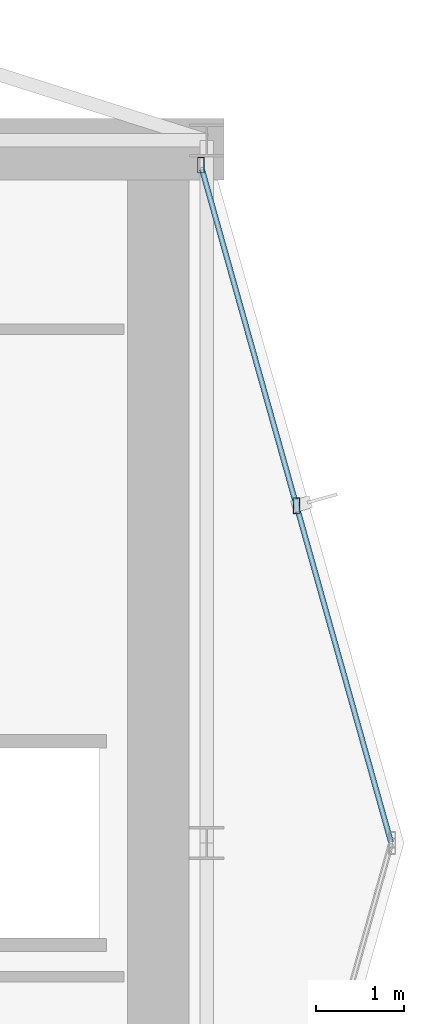
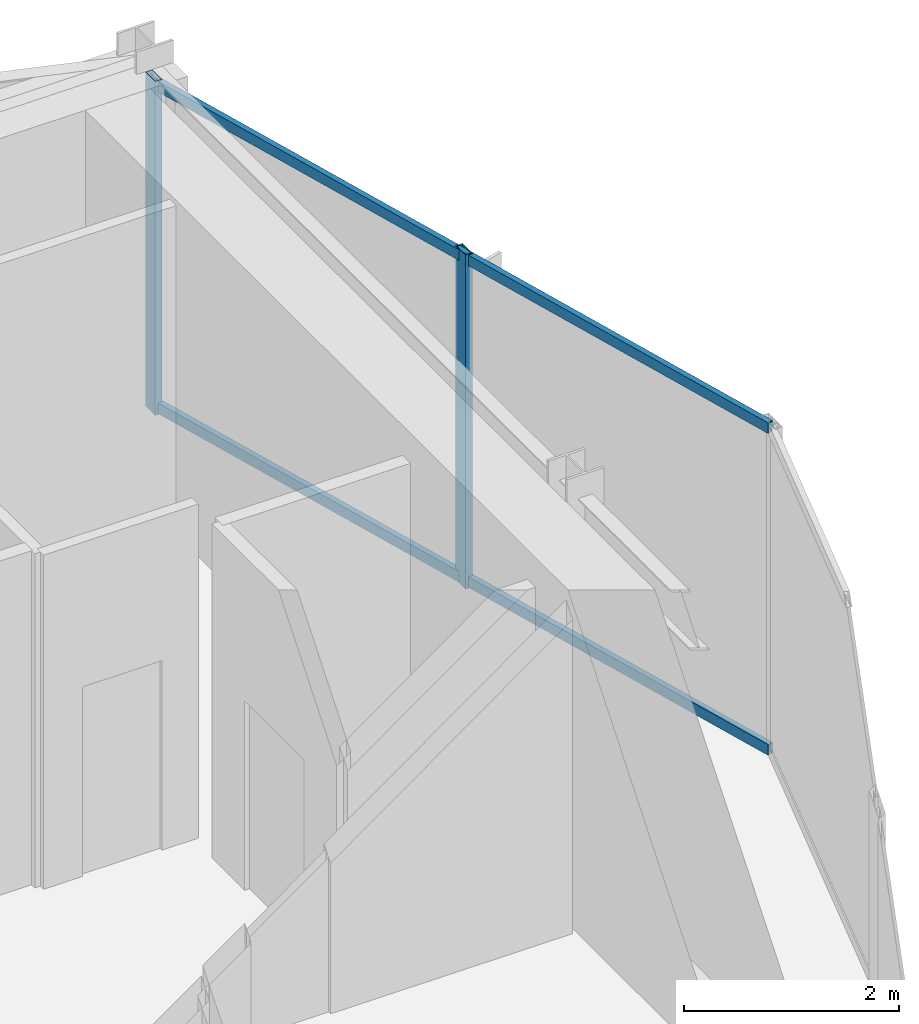
# One storey, part 13 of 21: 4 members, 1 element without a shape of its own.
"""IFC4 building model written with IfcOpenShell, lengths in metres."""

from ifc_helpers import new_model, si_unit, direction, frame, origin, origin_2d, place, context, subcontext, project, spatial, hollow_rectangle, extrude, material, layer, layer_set, material_profile, profile_set, type_object, element, aggregate, save


model = new_model("IFC4")

# Units and contexts
model_context = context("Model", 3, precision=1e-05, world=origin(), true_north=direction((0.0, 1.0)))
body_context = subcontext(model_context, "Body", "Model", "MODEL_VIEW")
ifc_project = project(units=[si_unit("LENGTHUNIT", "METRE"), si_unit("AREAUNIT", "SQUARE_METRE"), si_unit("VOLUMEUNIT", "CUBIC_METRE"), si_unit("PLANEANGLEUNIT", "RADIAN"), si_unit("MASSUNIT", "GRAM", prefix="KILO")], contexts=[model_context])

# Site, building, storey
site_placement = place(None, origin())
site = spatial("IfcSite", under=ifc_project, at=site_placement, CompositionType="ELEMENT")
building_placement = place(site_placement, origin())
building = spatial("IfcBuilding", under=site, at=building_placement, Name="Veymaron Broadcast Tower", CompositionType="ELEMENT")
storey_placement = place(building_placement, frame((0.0, 0.0, 240.449951171875)))
storey = spatial("IfcBuildingStorey", under=building, at=storey_placement, Name="L56", CompositionType="ELEMENT", Elevation=240.449951171875)

# Curtain wall, members
ifc_material_1 = material(Name="Anodised aluminium AA 6063-T6 and laminated low-E dark glass", Category="aluminium")
ifc_layer = layer(ifc_material_1, 0.179931640625)
ifc_layer_set = layer_set([ifc_layer], Name="Anodised aluminium AA 6063-T6 and laminated low-E dark glass")
curtain_wall_type = type_object("IfcCurtainWallType", Name="CW-SYS-05", PredefinedType="NOTDEFINED", material=ifc_layer_set)
curtain_wall_placement = place(storey_placement, origin())
curtain_wall = element("IfcCurtainWall", 1, at=curtain_wall_placement, inside=storey, type_object=curtain_wall_type, Name="L56 dark-glass curtain wall CW-L56-E5-1", PredefinedType="NOTDEFINED")
ifc_material_2 = material(Name="Anodised aluminium AA 6063-T6", Category="aluminium")
ifc_material_profile_1 = material_profile(ifc_material_2, hollow_rectangle(XDim=0.074951171875, YDim=0.179931640625, WallThickness=0.0048828125, at=origin_2d()), Name="AL180X75X5")
ifc_profile_set_1 = profile_set([ifc_material_profile_1], Name="Anodised aluminium AA 6063-T6")
member_type_1 = type_object("IfcMemberType", Name="CW-MUL-02", PredefinedType="MULLION", material=ifc_profile_set_1)
member_1_placement = place(storey_placement, frame((55.622802734375, 27.8408203125, 0.0), z_axis=(0.0, 0.0, 1.0), x_axis=(1.0, 0.0, 0.0)))
member_1 = element("IfcMember", 2, at=member_1_placement, type_object=member_type_1, Name="CW-L56-E5-1 mullion 1", PredefinedType="MULLION", context=body_context, shape_type="SweptSolid", body=[
    extrude(hollow_rectangle(XDim=0.074951171875, YDim=0.179931640625, WallThickness=0.0048828125, at=origin_2d()), origin(), (0.0, 0.0, 1.0), 3.7900390625),
])
member_2_placement = place(storey_placement, frame((54.533203125, 31.7197265625, 0.0), z_axis=(0.0, 0.0, 1.0), x_axis=(1.0, 0.0, 0.0)))
member_2 = element("IfcMember", 3, at=member_2_placement, type_object=member_type_1, Name="CW-L56-E5-1 mullion 2", PredefinedType="MULLION", context=body_context, shape_type="SweptSolid", body=[
    extrude(hollow_rectangle(XDim=0.074951171875, YDim=0.179931640625, WallThickness=0.0048828125, at=origin_2d()), origin(), (0.0, 0.0, 1.0), 3.7900390625),
])
ifc_material_profile_2 = material_profile(ifc_material_2, hollow_rectangle(XDim=0.06005859375, YDim=0.1201171875, WallThickness=0.00390625, at=origin_2d()), Name="AL120X60X4")
ifc_profile_set_2 = profile_set([ifc_material_profile_2], Name="Anodised aluminium AA 6063-T6")
member_type_2 = type_object("IfcMemberType", Name="CW-TRN-02", PredefinedType="USERDEFINED", material=ifc_profile_set_2)
member_3_placement = place(storey_placement, frame((56.69873046875, 24.01025390625, 0.070068359375), z_axis=(-0.270407060971, 0.962746083543, 0.0), x_axis=(-0.962746083543, -0.270407060971, 0.0)))
member_3 = element("IfcMember", 4, at=member_3_placement, type_object=member_type_2, Name="CW-L56-E5-1 transom B", ObjectType="TRANSOM", PredefinedType="USERDEFINED", context=body_context, shape_type="SweptSolid", body=[
    extrude(hollow_rectangle(XDim=0.06005859375, YDim=0.1201171875, WallThickness=0.00390625, at=origin_2d()), origin(), (0.0, 0.0, 1.0), 7.957763671875),
])
member_4_placement = place(storey_placement, frame((56.69873046875, 24.01025390625, 3.719970703125), z_axis=(-0.270407060971, 0.962746083543, 0.0), x_axis=(-0.962746083543, -0.270407060971, 0.0)))
member_4 = element("IfcMember", 5, at=member_4_placement, type_object=member_type_2, Name="CW-L56-E5-1 transom T", ObjectType="TRANSOM", PredefinedType="USERDEFINED", context=body_context, shape_type="SweptSolid", body=[
    extrude(hollow_rectangle(XDim=0.06005859375, YDim=0.1201171875, WallThickness=0.00390625, at=origin_2d()), origin(), (0.0, 0.0, 1.0), 7.957763671875),
])
aggregate(curtain_wall, [member_1, member_2, member_3, member_4])

save(model, "model.ifc")
